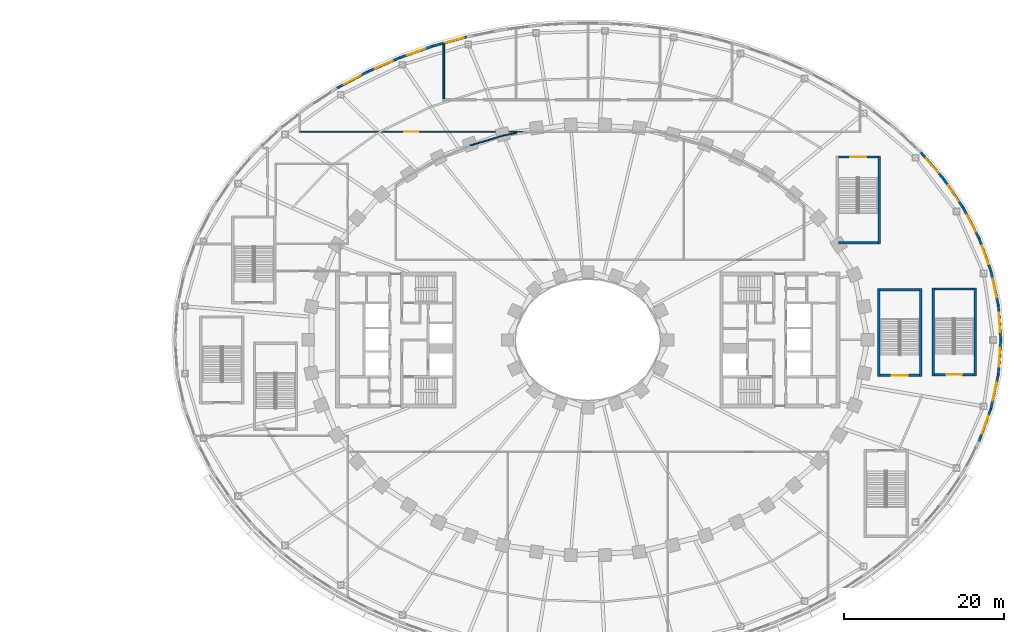
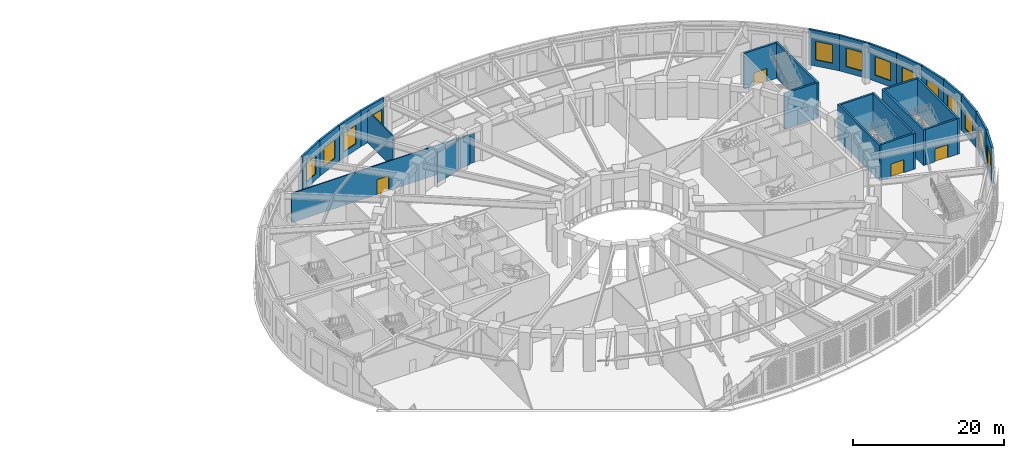
# One storey, part 25 of 74: 28 walls, 13 windows, 4 doors, 17 openings.
"""IFC4 building model written with IfcOpenShell, lengths in metres."""

from ifc_helpers import new_model, si_unit, direction, frame, frame_2d, origin, place, context, subcontext, project, spatial, rectangle, extrude, material, layer, layer_set, type_object, element, fill, save


model = new_model("IFC4")

# Units and contexts
model_context = context("Model", 3, precision=1e-05, world=origin(), true_north=direction((0.0, 1.0)))
body_context = subcontext(model_context, "Body", "Model", "MODEL_VIEW")
ifc_project = project(units=[si_unit("LENGTHUNIT", "METRE"), si_unit("AREAUNIT", "SQUARE_METRE"), si_unit("VOLUMEUNIT", "CUBIC_METRE"), si_unit("PLANEANGLEUNIT", "RADIAN"), si_unit("MASSUNIT", "GRAM", prefix="KILO")], contexts=[model_context])

# Site, building, storey
site_placement = place(None, origin())
site = spatial("IfcSite", under=ifc_project, at=site_placement, CompositionType="ELEMENT")
building_placement = place(site_placement, origin())
building = spatial("IfcBuilding", under=site, at=building_placement, Name="Noorbagh Ring Tower", CompositionType="ELEMENT")
storey_placement = place(building_placement, frame((0.0, 0.0, 13.5)))
storey = spatial("IfcBuildingStorey", under=building, at=storey_placement, Name="L02", CompositionType="ELEMENT", Elevation=13.5)

# Wall, opening, window
ifc_material_1 = material(Name="Blockwork faced with red sandstone", Category="masonry")
ifc_layer_1 = layer(ifc_material_1, 0.300048828125)
ifc_layer_set_1 = layer_set([ifc_layer_1], Name="Blockwork faced with red sandstone")
wall_type_1 = type_object("IfcWallType", Name="GND-ENV-WALL", PredefinedType="SOLIDWALL", material=ifc_layer_set_1)
wall_1_placement = place(storey_placement, frame((51.59912109375, 0.0, 0.0), z_axis=(0.0, 0.0, 1.0), x_axis=(-0.071315050824, 0.997453840298, 0.0)))
wall_1 = element("IfcWall", 1, at=wall_1_placement, inside=storey, type_object=wall_type_1, Name="Podium wall", PredefinedType="SOLIDWALL", context=body_context, shape_type="SweptSolid", body=[
    extrude(rectangle(XDim=4.33740234375, YDim=0.300048828125, at=frame_2d((2.168701171875, 0.0))), origin(), (0.0, 0.0, 1.0), 5.75),
])
opening_1_placement = place(wall_1_placement, frame((0.96875, 0.0, 1.0)))
opening_1 = element("IfcOpeningElement", 2, at=opening_1_placement, cuts=wall_1, Name="Opening GWN1", PredefinedType="OPENING", context=body_context, shape_type="SweptSolid", body=[
    extrude(rectangle(XDim=2.39990234375, YDim=3.0, at=frame_2d((1.199951171875, 1.5))), frame((0.0, 0.16015625, 0.0), z_axis=(0.0, -1.0, 0.0), x_axis=(1.0, 0.0, 0.0)), (0.0, 0.0, 1.0), 0.320068359375),
])
ifc_material_2 = material(Name="Aluminium and glass", Category="aluminium")
window_type = type_object("IfcWindowType", Name="GND-ENV-WINDOW", PartitioningType="SINGLE_PANEL", PredefinedType="WINDOW", material=ifc_material_2)
window_1_placement = place(opening_1_placement, origin())
window_1 = element("IfcWindow", 3, at=window_1_placement, inside=storey, type_object=window_type, Name="L02 podium window", OverallHeight=3.0, OverallWidth=2.39990234375, PartitioningType="SINGLE_PANEL", PredefinedType="WINDOW", context=body_context, shape_type="SweptSolid", body=[
    extrude(rectangle(XDim=2.39990234375, YDim=3.0, at=frame_2d((1.199951171875, 1.5))), frame((0.0, 0.030029296875, 0.0), z_axis=(0.0, -1.0, 0.0), x_axis=(1.0, 0.0, 0.0)), (0.0, 0.0, 1.0), 0.06005859375),
])
fill(opening_1, window_1)

wall_2_placement = place(storey_placement, frame((51.289794921875, 4.326416015625, 0.0), z_axis=(0.0, 0.0, 1.0), x_axis=(-0.210616468766, 0.977568771537, 0.0)))
wall_2 = element("IfcWall", 4, at=wall_2_placement, inside=storey, type_object=wall_type_1, Name="Podium wall", PredefinedType="SOLIDWALL", context=body_context, shape_type="SweptSolid", body=[
    extrude(rectangle(XDim=4.3388671875, YDim=0.300048828125, at=frame_2d((2.16943359375, 0.0))), origin(), (0.0, 0.0, 1.0), 5.75),
])
opening_2_placement = place(wall_2_placement, frame((0.969482421875, 0.0, 1.0)))
opening_2 = element("IfcOpeningElement", 5, at=opening_2_placement, cuts=wall_2, Name="Opening GWN1", PredefinedType="OPENING", context=body_context, shape_type="SweptSolid", body=[
    extrude(rectangle(XDim=2.39990234375, YDim=3.0, at=frame_2d((1.199951171875, 1.5))), frame((0.0, 0.16015625, 0.0), z_axis=(0.0, -1.0, 0.0), x_axis=(1.0, 0.0, 0.0)), (0.0, 0.0, 1.0), 0.320068359375),
])
window_2_placement = place(opening_2_placement, origin())
window_2 = element("IfcWindow", 6, at=window_2_placement, inside=storey, type_object=window_type, Name="L02 podium window", OverallHeight=3.0, OverallWidth=2.39990234375, PartitioningType="SINGLE_PANEL", PredefinedType="WINDOW", context=body_context, shape_type="SweptSolid", body=[
    extrude(rectangle(XDim=2.39990234375, YDim=3.0, at=frame_2d((1.199951171875, 1.5))), frame((0.0, 0.030029296875, 0.0), z_axis=(0.0, -1.0, 0.0), x_axis=(1.0, 0.0, 0.0)), (0.0, 0.0, 1.0), 0.06005859375),
])
fill(opening_2, window_2)

wall_3_placement = place(storey_placement, frame((50.3759765625, 8.56787109375, 0.0), z_axis=(0.0, 0.0, 1.0), x_axis=(-0.341286990045, 0.939959142956, 0.0)))
wall_3 = element("IfcWall", 7, at=wall_3_placement, inside=storey, type_object=wall_type_1, Name="Podium wall", PredefinedType="SOLIDWALL", context=body_context, shape_type="SweptSolid", body=[
    extrude(rectangle(XDim=4.341552734375, YDim=0.300048828125, at=frame_2d((2.1708984375, 0.0))), origin(), (0.0, 0.0, 1.0), 5.75),
])
opening_3_placement = place(wall_3_placement, frame((0.970703125, 0.0, 1.0)))
opening_3 = element("IfcOpeningElement", 8, at=opening_3_placement, cuts=wall_3, Name="Opening GWN1", PredefinedType="OPENING", context=body_context, shape_type="SweptSolid", body=[
    extrude(rectangle(XDim=2.39990234375, YDim=3.0, at=frame_2d((1.199951171875, 1.5))), frame((0.0, 0.16015625, 0.0), z_axis=(0.0, -1.0, 0.0), x_axis=(1.0, 0.0, 0.0)), (0.0, 0.0, 1.0), 0.320068359375),
])
window_3_placement = place(opening_3_placement, origin())
window_3 = element("IfcWindow", 9, at=window_3_placement, inside=storey, type_object=window_type, Name="L02 podium window", OverallHeight=3.0, OverallWidth=2.39990234375, PartitioningType="SINGLE_PANEL", PredefinedType="WINDOW", context=body_context, shape_type="SweptSolid", body=[
    extrude(rectangle(XDim=2.39990234375, YDim=3.0, at=frame_2d((1.199951171875, 1.5))), frame((0.0, 0.030029296875, 0.0), z_axis=(0.0, -1.0, 0.0), x_axis=(1.0, 0.0, 0.0)), (0.0, 0.0, 1.0), 0.06005859375),
])
fill(opening_3, window_3)

wall_4_placement = place(storey_placement, frame((48.894287109375, 12.648681640625, 0.0), z_axis=(0.0, 0.0, 1.0), x_axis=(-0.459242531468, 0.888310923771, 0.0)))
wall_4 = element("IfcWall", 10, at=wall_4_placement, inside=storey, type_object=wall_type_1, Name="Podium wall", PredefinedType="SOLIDWALL", context=body_context, shape_type="SweptSolid", body=[
    extrude(rectangle(XDim=4.344970703125, YDim=0.300048828125, at=frame_2d((2.17236328125, 0.0))), origin(), (0.0, 0.0, 1.0), 5.75),
])
opening_4_placement = place(wall_4_placement, frame((0.972412109375, 0.0, 1.0)))
opening_4 = element("IfcOpeningElement", 11, at=opening_4_placement, cuts=wall_4, Name="Opening GWN1", PredefinedType="OPENING", context=body_context, shape_type="SweptSolid", body=[
    extrude(rectangle(XDim=2.39990234375, YDim=3.0, at=frame_2d((1.199951171875, 1.5))), frame((0.0, 0.16015625, 0.0), z_axis=(0.0, -1.0, 0.0), x_axis=(1.0, 0.0, 0.0)), (0.0, 0.0, 1.0), 0.320068359375),
])
window_4_placement = place(opening_4_placement, origin())
window_4 = element("IfcWindow", 12, at=window_4_placement, inside=storey, type_object=window_type, Name="L02 podium window", OverallHeight=3.0, OverallWidth=2.39990234375, PartitioningType="SINGLE_PANEL", PredefinedType="WINDOW", context=body_context, shape_type="SweptSolid", body=[
    extrude(rectangle(XDim=2.39990234375, YDim=3.0, at=frame_2d((1.199951171875, 1.5))), frame((0.0, 0.030029296875, 0.0), z_axis=(0.0, -1.0, 0.0), x_axis=(1.0, 0.0, 0.0)), (0.0, 0.0, 1.0), 0.06005859375),
])
fill(opening_4, window_4)

wall_5_placement = place(storey_placement, frame((46.89892578125, 16.50830078125, 0.0), z_axis=(0.0, 0.0, 1.0), x_axis=(-0.562667738859, 0.82668314102, 0.0)))
wall_5 = element("IfcWall", 13, at=wall_5_placement, inside=storey, type_object=wall_type_1, Name="Podium wall", PredefinedType="SOLIDWALL", context=body_context, shape_type="SweptSolid", body=[
    extrude(rectangle(XDim=4.348876953125, YDim=0.300048828125, at=frame_2d((2.17431640625, 0.0))), origin(), (0.0, 0.0, 1.0), 5.75),
])
opening_5_placement = place(wall_5_placement, frame((0.974365234375, 0.0, 1.0)))
opening_5 = element("IfcOpeningElement", 14, at=opening_5_placement, cuts=wall_5, Name="Opening GWN1", PredefinedType="OPENING", context=body_context, shape_type="SweptSolid", body=[
    extrude(rectangle(XDim=2.39990234375, YDim=3.0, at=frame_2d((1.199951171875, 1.5))), frame((0.0, 0.16015625, 0.0), z_axis=(0.0, -1.0, 0.0), x_axis=(1.0, 0.0, 0.0)), (0.0, 0.0, 1.0), 0.320068359375),
])
window_5_placement = place(opening_5_placement, origin())
window_5 = element("IfcWindow", 15, at=window_5_placement, inside=storey, type_object=window_type, Name="L02 podium window", OverallHeight=3.0, OverallWidth=2.39990234375, PartitioningType="SINGLE_PANEL", PredefinedType="WINDOW", context=body_context, shape_type="SweptSolid", body=[
    extrude(rectangle(XDim=2.39990234375, YDim=3.0, at=frame_2d((1.199951171875, 1.5))), frame((0.0, 0.030029296875, 0.0), z_axis=(0.0, -1.0, 0.0), x_axis=(1.0, 0.0, 0.0)), (0.0, 0.0, 1.0), 0.06005859375),
])
fill(opening_5, window_5)

wall_6_placement = place(storey_placement, frame((44.451904296875, 20.103515625, 0.0), z_axis=(0.0, 0.0, 1.0), x_axis=(-0.651387059497, 0.758745608699, 0.0)))
wall_6 = element("IfcWall", 16, at=wall_6_placement, inside=storey, type_object=wall_type_1, Name="Podium wall", PredefinedType="SOLIDWALL", context=body_context, shape_type="SweptSolid", body=[
    extrude(rectangle(XDim=4.3525390625, YDim=0.300048828125, at=frame_2d((2.17626953125, 0.0))), origin(), (0.0, 0.0, 1.0), 5.75),
])
opening_6_placement = place(wall_6_placement, frame((0.976318359375, 0.0, 1.0)))
opening_6 = element("IfcOpeningElement", 17, at=opening_6_placement, cuts=wall_6, Name="Opening GWN1", PredefinedType="OPENING", context=body_context, shape_type="SweptSolid", body=[
    extrude(rectangle(XDim=2.39990234375, YDim=3.0, at=frame_2d((1.199951171875, 1.5))), frame((0.0, 0.16015625, 0.0), z_axis=(0.0, -1.0, 0.0), x_axis=(1.0, 0.0, 0.0)), (0.0, 0.0, 1.0), 0.320068359375),
])
window_6_placement = place(opening_6_placement, origin())
window_6 = element("IfcWindow", 18, at=window_6_placement, inside=storey, type_object=window_type, Name="L02 podium window", OverallHeight=3.0, OverallWidth=2.39990234375, PartitioningType="SINGLE_PANEL", PredefinedType="WINDOW", context=body_context, shape_type="SweptSolid", body=[
    extrude(rectangle(XDim=2.39990234375, YDim=3.0, at=frame_2d((1.199951171875, 1.5))), frame((0.0, 0.030029296875, 0.0), z_axis=(0.0, -1.0, 0.0), x_axis=(1.0, 0.0, 0.0)), (0.0, 0.0, 1.0), 0.06005859375),
])
fill(opening_6, window_6)

wall_7_placement = place(storey_placement, frame((-15.164794921875, 37.85009765625, 0.0), z_axis=(0.0, 0.0, 1.0), x_axis=(-0.964679950239, -0.263424739931, 0.0)))
wall_7 = element("IfcWall", 19, at=wall_7_placement, inside=storey, type_object=wall_type_1, Name="Podium wall", PredefinedType="SOLIDWALL", context=body_context, shape_type="SweptSolid", body=[
    extrude(rectangle(XDim=4.368896484375, YDim=0.300048828125, at=frame_2d((2.1845703125, 0.0))), origin(), (0.0, 0.0, 1.0), 5.75),
])
opening_7_placement = place(wall_7_placement, frame((0.37451171875, 0.0, 1.0)))
opening_7 = element("IfcOpeningElement", 20, at=opening_7_placement, cuts=wall_7, Name="Opening GWN1", PredefinedType="OPENING", context=body_context, shape_type="SweptSolid", body=[
    extrude(rectangle(XDim=2.39990234375, YDim=3.0, at=frame_2d((1.199951171875, 1.5))), frame((0.0, 0.16015625, 0.0), z_axis=(0.0, -1.0, 0.0), x_axis=(1.0, 0.0, 0.0)), (0.0, 0.0, 1.0), 0.320068359375),
])
window_7_placement = place(opening_7_placement, origin())
window_7 = element("IfcWindow", 21, at=window_7_placement, inside=storey, type_object=window_type, Name="L02 podium window", OverallHeight=3.0, OverallWidth=2.39990234375, PartitioningType="SINGLE_PANEL", PredefinedType="WINDOW", context=body_context, shape_type="SweptSolid", body=[
    extrude(rectangle(XDim=2.39990234375, YDim=3.0, at=frame_2d((1.199951171875, 1.5))), frame((0.0, 0.030029296875, 0.0), z_axis=(0.0, -1.0, 0.0), x_axis=(1.0, 0.0, 0.0)), (0.0, 0.0, 1.0), 0.06005859375),
])
fill(opening_7, window_7)

wall_8_placement = place(storey_placement, frame((-19.37939453125, 36.69921875, 0.0), z_axis=(0.0, 0.0, 1.0), x_axis=(-0.943526738033, -0.331296384853, 0.0)))
wall_8 = element("IfcWall", 22, at=wall_8_placement, inside=storey, type_object=wall_type_1, Name="Podium wall", PredefinedType="SOLIDWALL", context=body_context, shape_type="SweptSolid", body=[
    extrude(rectangle(XDim=4.36767578125, YDim=0.300048828125, at=frame_2d((2.183837890625, 0.0))), origin(), (0.0, 0.0, 1.0), 5.75),
])
opening_8_placement = place(wall_8_placement, frame((0.98388671875, 0.0, 1.0)))
opening_8 = element("IfcOpeningElement", 23, at=opening_8_placement, cuts=wall_8, Name="Opening GWN1", PredefinedType="OPENING", context=body_context, shape_type="SweptSolid", body=[
    extrude(rectangle(XDim=2.39990234375, YDim=3.0, at=frame_2d((1.199951171875, 1.5))), frame((0.0, 0.16015625, 0.0), z_axis=(0.0, -1.0, 0.0), x_axis=(1.0, 0.0, 0.0)), (0.0, 0.0, 1.0), 0.320068359375),
])
window_8_placement = place(opening_8_placement, origin())
window_8 = element("IfcWindow", 24, at=window_8_placement, inside=storey, type_object=window_type, Name="L02 podium window", OverallHeight=3.0, OverallWidth=2.39990234375, PartitioningType="SINGLE_PANEL", PredefinedType="WINDOW", context=body_context, shape_type="SweptSolid", body=[
    extrude(rectangle(XDim=2.39990234375, YDim=3.0, at=frame_2d((1.199951171875, 1.5))), frame((0.0, 0.030029296875, 0.0), z_axis=(0.0, -1.0, 0.0), x_axis=(1.0, 0.0, 0.0)), (0.0, 0.0, 1.0), 0.06005859375),
])
fill(opening_8, window_8)

wall_9_placement = place(storey_placement, frame((-23.50048828125, 35.252197265625, 0.0), z_axis=(0.0, 0.0, 1.0), x_axis=(-0.916336904548, -0.400408138483, 0.0)))
wall_9 = element("IfcWall", 25, at=wall_9_placement, inside=storey, type_object=wall_type_1, Name="Podium wall", PredefinedType="SOLIDWALL", context=body_context, shape_type="SweptSolid", body=[
    extrude(rectangle(XDim=4.3662109375, YDim=0.300048828125, at=frame_2d((2.18310546875, 0.0))), origin(), (0.0, 0.0, 1.0), 5.75),
])
opening_9_placement = place(wall_9_placement, frame((0.983154296875, 0.0, 1.0)))
opening_9 = element("IfcOpeningElement", 26, at=opening_9_placement, cuts=wall_9, Name="Opening GWN1", PredefinedType="OPENING", context=body_context, shape_type="SweptSolid", body=[
    extrude(rectangle(XDim=2.39990234375, YDim=3.0, at=frame_2d((1.199951171875, 1.5))), frame((0.0, 0.16015625, 0.0), z_axis=(0.0, -1.0, 0.0), x_axis=(1.0, 0.0, 0.0)), (0.0, 0.0, 1.0), 0.320068359375),
])
window_9_placement = place(opening_9_placement, origin())
window_9 = element("IfcWindow", 27, at=window_9_placement, inside=storey, type_object=window_type, Name="L02 podium window", OverallHeight=3.0, OverallWidth=2.39990234375, PartitioningType="SINGLE_PANEL", PredefinedType="WINDOW", context=body_context, shape_type="SweptSolid", body=[
    extrude(rectangle(XDim=2.39990234375, YDim=3.0, at=frame_2d((1.199951171875, 1.5))), frame((0.0, 0.030029296875, 0.0), z_axis=(0.0, -1.0, 0.0), x_axis=(1.0, 0.0, 0.0)), (0.0, 0.0, 1.0), 0.06005859375),
])
fill(opening_9, window_9)

wall_10_placement = place(storey_placement, frame((-27.50146484375, 33.50390625, 0.0), z_axis=(0.0, 0.0, 1.0), x_axis=(-0.882159305704, -0.47095112205, 0.0)))
wall_10 = element("IfcWall", 28, at=wall_10_placement, inside=storey, type_object=wall_type_1, Name="Podium wall", PredefinedType="SOLIDWALL", context=body_context, shape_type="SweptSolid", body=[
    extrude(rectangle(XDim=4.364501953125, YDim=0.300048828125, at=frame_2d((2.18212890625, 0.0))), origin(), (0.0, 0.0, 1.0), 5.75),
])
opening_10_placement = place(wall_10_placement, frame((0.982177734375, 0.0, 1.0)))
opening_10 = element("IfcOpeningElement", 29, at=opening_10_placement, cuts=wall_10, Name="Opening GWN1", PredefinedType="OPENING", context=body_context, shape_type="SweptSolid", body=[
    extrude(rectangle(XDim=2.39990234375, YDim=3.0, at=frame_2d((1.199951171875, 1.5))), frame((0.0, 0.16015625, 0.0), z_axis=(0.0, -1.0, 0.0), x_axis=(1.0, 0.0, 0.0)), (0.0, 0.0, 1.0), 0.320068359375),
])
window_10_placement = place(opening_10_placement, origin())
window_10 = element("IfcWindow", 30, at=window_10_placement, inside=storey, type_object=window_type, Name="L02 podium window", OverallHeight=3.0, OverallWidth=2.39990234375, PartitioningType="SINGLE_PANEL", PredefinedType="WINDOW", context=body_context, shape_type="SweptSolid", body=[
    extrude(rectangle(XDim=2.39990234375, YDim=3.0, at=frame_2d((1.199951171875, 1.5))), frame((0.0, 0.030029296875, 0.0), z_axis=(0.0, -1.0, 0.0), x_axis=(1.0, 0.0, 0.0)), (0.0, 0.0, 1.0), 0.06005859375),
])
fill(opening_10, window_10)

wall_11_placement = place(storey_placement, frame((48.894287109375, -12.648681640625, 0.0), z_axis=(0.0, 0.0, 1.0), x_axis=(0.341286990045, 0.939959142956, 0.0)))
wall_11 = element("IfcWall", 31, at=wall_11_placement, inside=storey, type_object=wall_type_1, Name="Podium wall", PredefinedType="SOLIDWALL", context=body_context, shape_type="SweptSolid", body=[
    extrude(rectangle(XDim=4.341552734375, YDim=0.300048828125, at=frame_2d((2.1708984375, 0.0))), origin(), (0.0, 0.0, 1.0), 5.75),
])
opening_11_placement = place(wall_11_placement, frame((0.970703125, 0.0, 1.0)))
opening_11 = element("IfcOpeningElement", 32, at=opening_11_placement, cuts=wall_11, Name="Opening GWN1", PredefinedType="OPENING", context=body_context, shape_type="SweptSolid", body=[
    extrude(rectangle(XDim=2.39990234375, YDim=3.0, at=frame_2d((1.199951171875, 1.5))), frame((0.0, 0.16015625, 0.0), z_axis=(0.0, -1.0, 0.0), x_axis=(1.0, 0.0, 0.0)), (0.0, 0.0, 1.0), 0.320068359375),
])
window_11_placement = place(opening_11_placement, origin())
window_11 = element("IfcWindow", 33, at=window_11_placement, inside=storey, type_object=window_type, Name="L02 podium window", OverallHeight=3.0, OverallWidth=2.39990234375, PartitioningType="SINGLE_PANEL", PredefinedType="WINDOW", context=body_context, shape_type="SweptSolid", body=[
    extrude(rectangle(XDim=2.39990234375, YDim=3.0, at=frame_2d((1.199951171875, 1.5))), frame((0.0, 0.030029296875, 0.0), z_axis=(0.0, -1.0, 0.0), x_axis=(1.0, 0.0, 0.0)), (0.0, 0.0, 1.0), 0.06005859375),
])
fill(opening_11, window_11)

wall_12_placement = place(storey_placement, frame((50.3759765625, -8.56787109375, 0.0), z_axis=(0.0, 0.0, 1.0), x_axis=(0.210616468766, 0.977568771537, 0.0)))
wall_12 = element("IfcWall", 34, at=wall_12_placement, inside=storey, type_object=wall_type_1, Name="Podium wall", PredefinedType="SOLIDWALL", context=body_context, shape_type="SweptSolid", body=[
    extrude(rectangle(XDim=4.3388671875, YDim=0.300048828125, at=frame_2d((2.16943359375, 0.0))), origin(), (0.0, 0.0, 1.0), 5.75),
])
opening_12_placement = place(wall_12_placement, frame((0.969482421875, 0.0, 1.0)))
opening_12 = element("IfcOpeningElement", 35, at=opening_12_placement, cuts=wall_12, Name="Opening GWN1", PredefinedType="OPENING", context=body_context, shape_type="SweptSolid", body=[
    extrude(rectangle(XDim=2.39990234375, YDim=3.0, at=frame_2d((1.199951171875, 1.5))), frame((0.0, 0.16015625, 0.0), z_axis=(0.0, -1.0, 0.0), x_axis=(1.0, 0.0, 0.0)), (0.0, 0.0, 1.0), 0.320068359375),
])
window_12_placement = place(opening_12_placement, origin())
window_12 = element("IfcWindow", 36, at=window_12_placement, inside=storey, type_object=window_type, Name="L02 podium window", OverallHeight=3.0, OverallWidth=2.39990234375, PartitioningType="SINGLE_PANEL", PredefinedType="WINDOW", context=body_context, shape_type="SweptSolid", body=[
    extrude(rectangle(XDim=2.39990234375, YDim=3.0, at=frame_2d((1.199951171875, 1.5))), frame((0.0, 0.030029296875, 0.0), z_axis=(0.0, -1.0, 0.0), x_axis=(1.0, 0.0, 0.0)), (0.0, 0.0, 1.0), 0.06005859375),
])
fill(opening_12, window_12)

wall_13_placement = place(storey_placement, frame((51.289794921875, -4.326416015625, 0.0), z_axis=(0.0, 0.0, 1.0), x_axis=(0.071315050824, 0.997453840298, 0.0)))
wall_13 = element("IfcWall", 37, at=wall_13_placement, inside=storey, type_object=wall_type_1, Name="Podium wall", PredefinedType="SOLIDWALL", context=body_context, shape_type="SweptSolid", body=[
    extrude(rectangle(XDim=4.33740234375, YDim=0.300048828125, at=frame_2d((2.168701171875, 0.0))), origin(), (0.0, 0.0, 1.0), 5.75),
])
opening_13_placement = place(wall_13_placement, frame((0.96875, 0.0, 1.0)))
opening_13 = element("IfcOpeningElement", 38, at=opening_13_placement, cuts=wall_13, Name="Opening GWN1", PredefinedType="OPENING", context=body_context, shape_type="SweptSolid", body=[
    extrude(rectangle(XDim=2.39990234375, YDim=3.0, at=frame_2d((1.199951171875, 1.5))), frame((0.0, 0.16015625, 0.0), z_axis=(0.0, -1.0, 0.0), x_axis=(1.0, 0.0, 0.0)), (0.0, 0.0, 1.0), 0.320068359375),
])
window_13_placement = place(opening_13_placement, origin())
window_13 = element("IfcWindow", 39, at=window_13_placement, inside=storey, type_object=window_type, Name="L02 podium window", OverallHeight=3.0, OverallWidth=2.39990234375, PartitioningType="SINGLE_PANEL", PredefinedType="WINDOW", context=body_context, shape_type="SweptSolid", body=[
    extrude(rectangle(XDim=2.39990234375, YDim=3.0, at=frame_2d((1.199951171875, 1.5))), frame((0.0, 0.030029296875, 0.0), z_axis=(0.0, -1.0, 0.0), x_axis=(1.0, 0.0, 0.0)), (0.0, 0.0, 1.0), 0.06005859375),
])
fill(opening_13, window_13)

# Walls
ifc_material_3 = material(Name="Gypsum board on steel studs", Category="steel")
ifc_layer_2 = layer(ifc_material_3, 0.14990234375)
ifc_layer_set_2 = layer_set([ifc_layer_2], Name="Gypsum board on steel studs")
wall_type_2 = type_object("IfcWallType", Name="GND-PART-150", PredefinedType="PARTITIONING", material=ifc_layer_set_2)
wall_14_placement = place(storey_placement, frame((-14.73046875, 24.27783203125, 0.0), z_axis=(0.0, 0.0, 1.0), x_axis=(0.957579221601, 0.288170148278, 0.0)))
element("IfcWall", 40, at=wall_14_placement, inside=storey, type_object=wall_type_2, Name="L02/wall/P006", PredefinedType="PARTITIONING", context=body_context, shape_type="SweptSolid", body=[
    extrude(rectangle(XDim=4.412353515625, YDim=0.14990234375, at=frame_2d((2.2060546875, 0.0))), origin(), (0.0, 0.0, 1.0), 4.85009765625),
])
wall_15_placement = place(storey_placement, frame((-10.502685546875, 25.542236328125, 0.0), z_axis=(0.0, 0.0, 1.0), x_axis=(0.981604703618, 0.190924607725, 0.0)))
element("IfcWall", 41, at=wall_15_placement, inside=storey, type_object=wall_type_2, Name="L02/wall/P007", PredefinedType="PARTITIONING", context=body_context, shape_type="SweptSolid", body=[
    extrude(rectangle(XDim=1.664794921875, YDim=0.14990234375, at=frame_2d((0.83251953125, 0.0))), origin(), (0.0, 0.0, 1.0), 4.85009765625),
])

# Wall, opening, door
wall_16_placement = place(storey_placement, frame((-8.063232421875, 26.0, 0.0), z_axis=(0.0, 0.0, 1.0), x_axis=(-1.0, 0.0, 0.0)))
wall_16 = element("IfcWall", 42, at=wall_16_placement, inside=storey, type_object=wall_type_2, Name="L02/wall/P029", PredefinedType="PARTITIONING", context=body_context, shape_type="SweptSolid", body=[
    extrude(rectangle(XDim=28.01171875, YDim=0.14990234375, at=frame_2d((14.005859375, 0.0))), origin(), (0.0, 0.0, 1.0), 4.75),
])
opening_14_placement = place(wall_16_placement, frame((13.10595703125, 0.0, 0.0)))
opening_14 = element("IfcOpeningElement", 43, at=opening_14_placement, cuts=wall_16, Name="Opening GD7", PredefinedType="OPENING", context=body_context, shape_type="SweptSolid", body=[
    extrude(rectangle(XDim=1.800048828125, YDim=2.39990234375, at=frame_2d((0.89990234375, 1.199951171875))), frame((0.0, 0.0849609375, 0.0), z_axis=(0.0, -1.0, 0.0), x_axis=(1.0, 0.0, 0.0)), (0.0, 0.0, 1.0), 0.169921875),
])
ifc_material_4 = material(Name="Timber and glass", Category="wood")
door_type_1 = type_object("IfcDoorType", Name="GND-DOOR-HALL-DBL", OperationType="DOUBLE_DOOR_SINGLE_SWING", PredefinedType="DOOR", material=ifc_material_4)
door_1_placement = place(opening_14_placement, origin())
door_1 = element("IfcDoor", 44, at=door_1_placement, inside=storey, type_object=door_type_1, Name="Stalls foyer door", OperationType="DOUBLE_DOOR_SINGLE_SWING", OverallHeight=2.39990234375, OverallWidth=1.800048828125, PredefinedType="DOOR", context=body_context, shape_type="SweptSolid", body=[
    extrude(rectangle(XDim=1.800048828125, YDim=2.39990234375, at=frame_2d((0.89990234375, 1.199951171875))), frame((0.0, 0.02490234375, 0.0), z_axis=(0.0, -1.0, 0.0), x_axis=(1.0, 0.0, 0.0)), (0.0, 0.0, 1.0), 0.050048828125),
])
fill(opening_14, door_1)

# Walls
ifc_material_5 = material(Name="Reinforced blockwork", Category="masonry")
ifc_layer_3 = layer(ifc_material_5, 0.199951171875)
ifc_layer_set_3 = layer_set([ifc_layer_3], Name="Reinforced blockwork")
wall_type_3 = type_object("IfcWallType", Name="GND-PART-200", PredefinedType="PARTITIONING", material=ifc_layer_set_3)
wall_17_placement = place(storey_placement, frame((-18.0, 30.10009765625, 0.0), z_axis=(0.0, 0.0, 1.0), x_axis=(0.0, 1.0, 0.0)))
element("IfcWall", 45, at=wall_17_placement, inside=storey, type_object=wall_type_3, Name="L02/wall/P020", PredefinedType="PARTITIONING", context=body_context, shape_type="SweptSolid", body=[
    extrude(rectangle(XDim=6.803466796875, YDim=0.199951171875, at=frame_2d((3.40185546875, 0.0))), origin(), (0.0, 0.0, 1.0), 5.14990234375),
])
ifc_material_6 = material(Name="Concrete C60/75", Category="concrete")
ifc_layer_4 = layer(ifc_material_6, 0.300048828125)
ifc_layer_set_4 = layer_set([ifc_layer_4], Name="Concrete C60/75")
wall_type_4 = type_object("IfcWallType", Name="GND-STAIR-WALL", PredefinedType="SHEAR", material=ifc_layer_set_4)
for number, where, z_axis, x_axis, name in (
    (46, (36.35009765625, -4.60009765625, 0.0), (0.0, 0.0, 1.0), (0.0, 1.0, 0.0), "Exit stair ST-P2 wall"),
    (47, (41.60009765625, -4.60009765625, 0.0), (0.0, 0.0, 1.0), (0.0, 1.0, 0.0), "Exit stair ST-P2 wall"),
):
    element("IfcWall", number, at=place(storey_placement, frame(where, z_axis=z_axis, x_axis=x_axis)), inside=storey, type_object=wall_type_4, Name=name, PredefinedType="SHEAR", context=body_context, shape_type="SweptSolid", body=[
        extrude(rectangle(XDim=11.0, YDim=0.300048828125, at=frame_2d((5.5, 0.0))), origin(), (0.0, 0.0, 1.0), 5.75),
    ])

# Wall, opening, door
wall_18_placement = place(storey_placement, frame((36.5, -4.449951171875, 0.0), z_axis=(0.0, 0.0, 1.0), x_axis=(1.0, 0.0, 0.0)))
wall_18 = element("IfcWall", 48, at=wall_18_placement, inside=storey, type_object=wall_type_4, Name="Exit stair ST-P2 wall", PredefinedType="SHEAR", context=body_context, shape_type="SweptSolid", body=[
    extrude(rectangle(XDim=4.949951171875, YDim=0.300048828125, at=frame_2d((2.47509765625, 0.0))), origin(), (0.0, 0.0, 1.0), 5.75),
])
opening_15_placement = place(wall_18_placement, frame((1.47509765625, 0.0, 0.0)))
opening_15 = element("IfcOpeningElement", 49, at=opening_15_placement, cuts=wall_18, Name="Opening GD17", PredefinedType="OPENING", context=body_context, shape_type="SweptSolid", body=[
    extrude(rectangle(XDim=2.0, YDim=2.10009765625, at=frame_2d((1.0, 1.050048828125))), frame((0.0, 0.16015625, 0.0), z_axis=(0.0, -1.0, 0.0), x_axis=(1.0, 0.0, 0.0)), (0.0, 0.0, 1.0), 0.320068359375),
])
ifc_material_7 = material(Name="Steel", Category="steel")
door_type_2 = type_object("IfcDoorType", Name="GND-STAIR-DOOR", OperationType="DOUBLE_DOOR_SINGLE_SWING", PredefinedType="DOOR", material=ifc_material_7)
door_2_placement = place(opening_15_placement, origin())
door_2 = element("IfcDoor", 50, at=door_2_placement, inside=storey, type_object=door_type_2, Name="Exit stair ST-P2 door", OperationType="DOUBLE_DOOR_SINGLE_SWING", OverallHeight=2.10009765625, OverallWidth=2.0, PredefinedType="DOOR", context=body_context, shape_type="SweptSolid", body=[
    extrude(rectangle(XDim=2.0, YDim=2.10009765625, at=frame_2d((1.0, 1.050048828125))), frame((0.0, 0.02490234375, 0.0), z_axis=(0.0, -1.0, 0.0), x_axis=(1.0, 0.0, 0.0)), (0.0, 0.0, 1.0), 0.050048828125),
])
fill(opening_15, door_2)

# Walls
wall_19_placement = place(storey_placement, frame((36.5, 6.25, 0.0), z_axis=(0.0, 0.0, 1.0), x_axis=(1.0, 0.0, 0.0)))
element("IfcWall", 51, at=wall_19_placement, inside=storey, type_object=wall_type_4, Name="Exit stair ST-P2 wall", PredefinedType="SHEAR", context=body_context, shape_type="SweptSolid", body=[
    extrude(rectangle(XDim=4.949951171875, YDim=0.300048828125, at=frame_2d((2.47509765625, 0.0))), origin(), (0.0, 0.0, 1.0), 5.75),
])
for number, where, z_axis, x_axis, name in (
    (52, (43.14990234375, -4.5, 0.0), (0.0, 0.0, 1.0), (0.0, 1.0, 0.0), "Exit stair ST-P4 wall"),
    (53, (48.39990234375, -4.5, 0.0), (0.0, 0.0, 1.0), (0.0, 1.0, 0.0), "Exit stair ST-P4 wall"),
):
    element("IfcWall", number, at=place(storey_placement, frame(where, z_axis=z_axis, x_axis=x_axis)), inside=storey, type_object=wall_type_4, Name=name, PredefinedType="SHEAR", context=body_context, shape_type="SweptSolid", body=[
        extrude(rectangle(XDim=11.0, YDim=0.300048828125, at=frame_2d((5.5, 0.0))), origin(), (0.0, 0.0, 1.0), 5.75),
    ])

# Wall, opening, door
wall_20_placement = place(storey_placement, frame((43.300048828125, -4.35009765625, 0.0), z_axis=(0.0, 0.0, 1.0), x_axis=(1.0, 0.0, 0.0)))
wall_20 = element("IfcWall", 54, at=wall_20_placement, inside=storey, type_object=wall_type_4, Name="Exit stair ST-P4 wall", PredefinedType="SHEAR", context=body_context, shape_type="SweptSolid", body=[
    extrude(rectangle(XDim=4.949951171875, YDim=0.300048828125, at=frame_2d((2.47509765625, 0.0))), origin(), (0.0, 0.0, 1.0), 5.75),
])
opening_16_placement = place(wall_20_placement, frame((1.47509765625, 0.0, 0.0)))
opening_16 = element("IfcOpeningElement", 55, at=opening_16_placement, cuts=wall_20, Name="Opening GD17", PredefinedType="OPENING", context=body_context, shape_type="SweptSolid", body=[
    extrude(rectangle(XDim=2.0, YDim=2.10009765625, at=frame_2d((1.0, 1.050048828125))), frame((0.0, 0.16015625, 0.0), z_axis=(0.0, -1.0, 0.0), x_axis=(1.0, 0.0, 0.0)), (0.0, 0.0, 1.0), 0.320068359375),
])
door_3_placement = place(opening_16_placement, origin())
door_3 = element("IfcDoor", 56, at=door_3_placement, inside=storey, type_object=door_type_2, Name="Exit stair ST-P4 door", OperationType="DOUBLE_DOOR_SINGLE_SWING", OverallHeight=2.10009765625, OverallWidth=2.0, PredefinedType="DOOR", context=body_context, shape_type="SweptSolid", body=[
    extrude(rectangle(XDim=2.0, YDim=2.10009765625, at=frame_2d((1.0, 1.050048828125))), frame((0.0, 0.02490234375, 0.0), z_axis=(0.0, -1.0, 0.0), x_axis=(1.0, 0.0, 0.0)), (0.0, 0.0, 1.0), 0.050048828125),
])
fill(opening_16, door_3)

# Walls
wall_21_placement = place(storey_placement, frame((43.300048828125, 6.35009765625, 0.0), z_axis=(0.0, 0.0, 1.0), x_axis=(1.0, 0.0, 0.0)))
element("IfcWall", 57, at=wall_21_placement, inside=storey, type_object=wall_type_4, Name="Exit stair ST-P4 wall", PredefinedType="SHEAR", context=body_context, shape_type="SweptSolid", body=[
    extrude(rectangle(XDim=4.949951171875, YDim=0.300048828125, at=frame_2d((2.47509765625, 0.0))), origin(), (0.0, 0.0, 1.0), 5.75),
])
wall_22_placement = place(storey_placement, frame((36.39990234375, 12.0, 0.0), z_axis=(0.0, 0.0, 1.0), x_axis=(0.0, 1.0, 0.0)))
element("IfcWall", 58, at=wall_22_placement, inside=storey, type_object=wall_type_4, Name="Exit stair ST-P5 wall", PredefinedType="SHEAR", context=body_context, shape_type="SweptSolid", body=[
    extrude(rectangle(XDim=11.0, YDim=0.300048828125, at=frame_2d((5.5, 0.0))), origin(), (0.0, 0.0, 1.0), 5.75),
])
wall_23_placement = place(storey_placement, frame((31.300048828125, 12.14990234375, 0.0), z_axis=(0.0, 0.0, 1.0), x_axis=(1.0, 0.0, 0.0)))
element("IfcWall", 59, at=wall_23_placement, inside=storey, type_object=wall_type_4, Name="Exit stair ST-P5 wall", PredefinedType="SHEAR", context=body_context, shape_type="SweptSolid", body=[
    extrude(rectangle(XDim=4.949951171875, YDim=0.300048828125, at=frame_2d((2.47509765625, 0.0))), origin(), (0.0, 0.0, 1.0), 5.75),
])

# Wall, opening, door
wall_24_placement = place(storey_placement, frame((31.300048828125, 22.85009765625, 0.0), z_axis=(0.0, 0.0, 1.0), x_axis=(1.0, 0.0, 0.0)))
wall_24 = element("IfcWall", 60, at=wall_24_placement, inside=storey, type_object=wall_type_4, Name="Exit stair ST-P5 wall", PredefinedType="SHEAR", context=body_context, shape_type="SweptSolid", body=[
    extrude(rectangle(XDim=4.949951171875, YDim=0.300048828125, at=frame_2d((2.47509765625, 0.0))), origin(), (0.0, 0.0, 1.0), 5.75),
])
opening_17_placement = place(wall_24_placement, frame((1.47509765625, 0.0, 0.0)))
opening_17 = element("IfcOpeningElement", 61, at=opening_17_placement, cuts=wall_24, Name="Opening GD17", PredefinedType="OPENING", context=body_context, shape_type="SweptSolid", body=[
    extrude(rectangle(XDim=2.0, YDim=2.10009765625, at=frame_2d((1.0, 1.050048828125))), frame((0.0, 0.16015625, 0.0), z_axis=(0.0, -1.0, 0.0), x_axis=(1.0, 0.0, 0.0)), (0.0, 0.0, 1.0), 0.320068359375),
])
door_4_placement = place(opening_17_placement, origin())
door_4 = element("IfcDoor", 62, at=door_4_placement, inside=storey, type_object=door_type_2, Name="Exit stair ST-P5 door", OperationType="DOUBLE_DOOR_SINGLE_SWING", OverallHeight=2.10009765625, OverallWidth=2.0, PredefinedType="DOOR", context=body_context, shape_type="SweptSolid", body=[
    extrude(rectangle(XDim=2.0, YDim=2.10009765625, at=frame_2d((1.0, 1.050048828125))), frame((0.0, 0.02490234375, 0.0), z_axis=(0.0, -1.0, 0.0), x_axis=(1.0, 0.0, 0.0)), (0.0, 0.0, 1.0), 0.050048828125),
])
fill(opening_17, door_4)

save(model, "model.ifc")
